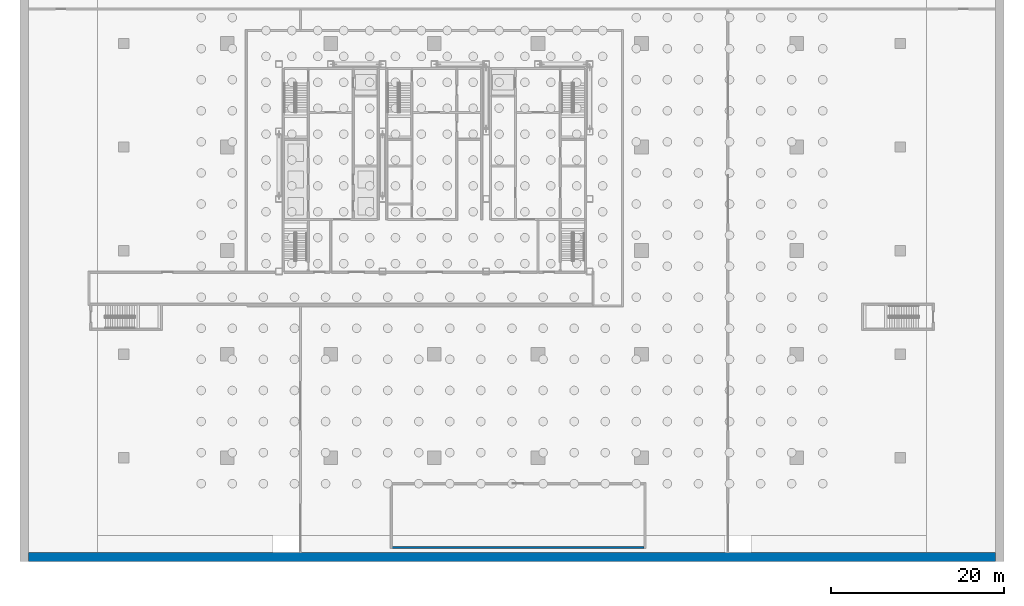
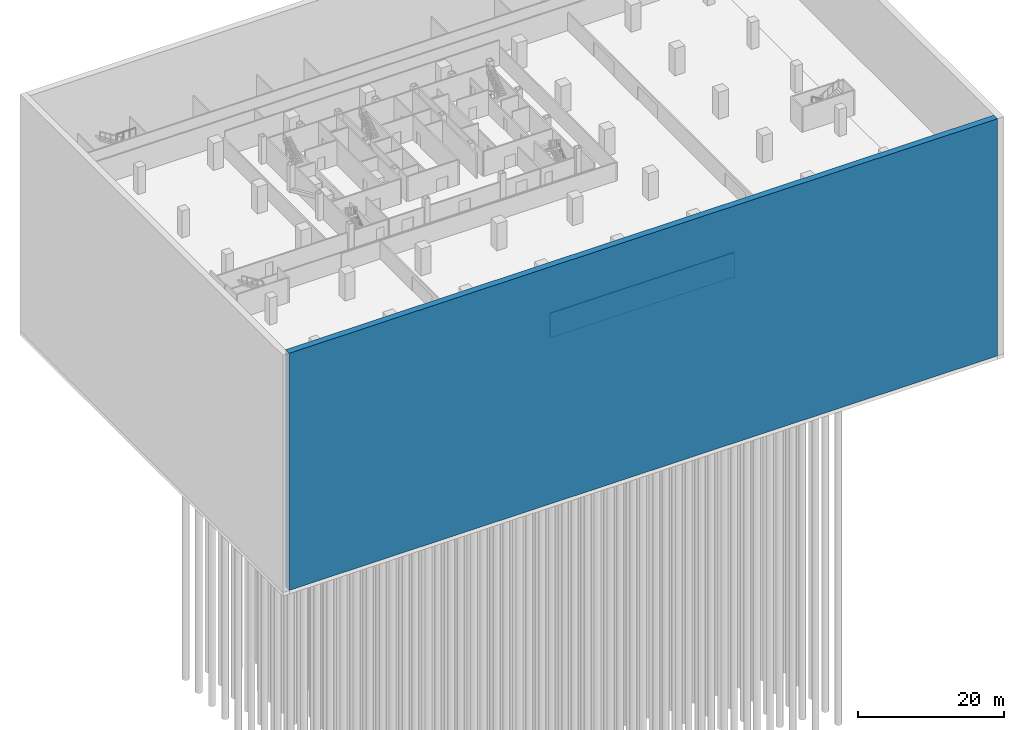
# One storey, part 5 of 18: 2 walls.
"""IFC4 building model written with IfcOpenShell, lengths in metres."""

from ifc_helpers import new_model, si_unit, direction, frame, frame_2d, origin, place, context, subcontext, project, spatial, rectangle, extrude, material, layer, layer_set, type_object, element, save


model = new_model("IFC4")

# Units and contexts
model_context = context("Model", 3, precision=1e-05, world=origin(), true_north=direction((0.0, 1.0)))
body_context = subcontext(model_context, "Body", "Model", "MODEL_VIEW")
ifc_project = project(units=[si_unit("LENGTHUNIT", "METRE"), si_unit("AREAUNIT", "SQUARE_METRE"), si_unit("VOLUMEUNIT", "CUBIC_METRE"), si_unit("PLANEANGLEUNIT", "RADIAN"), si_unit("MASSUNIT", "GRAM", prefix="KILO")], contexts=[model_context])

# Site, building, storey
site_placement = place(None, origin())
site = spatial("IfcSite", under=ifc_project, at=site_placement, CompositionType="ELEMENT")
building_placement = place(site_placement, origin())
building = spatial("IfcBuilding", under=site, at=building_placement, Name="Sorahane Residences", CompositionType="ELEMENT")
storey_placement = place(building_placement, frame((0.0, 0.0, -13.5)))
storey = spatial("IfcBuildingStorey", under=building, at=storey_placement, Name="B3", CompositionType="ELEMENT", Elevation=-13.5)

# Walls
ifc_material_1 = material(Name="Concrete C40", Category="concrete")
ifc_layer_1 = layer(ifc_material_1, 1.0)
ifc_layer_set_1 = layer_set([ifc_layer_1], Name="Diaphragm wall 1000 mm Concrete C40")
wall_type_1 = type_object("IfcWallType", Name="Diaphragm wall 1000 mm Concrete C40", PredefinedType="SOLIDWALL", material=ifc_layer_set_1)
wall_1_placement = place(storey_placement, frame((-23.0, -11.5, -26.5), z_axis=(0.0, 0.0, 1.0), x_axis=(1.0, 0.0, 0.0)))
element("IfcWall", 1, at=wall_1_placement, inside=storey, type_object=wall_type_1, Name="Diaphragm wall south", PredefinedType="SOLIDWALL", context=body_context, shape_type="SweptSolid", body=[
    extrude(rectangle(XDim=112.0, YDim=1.0, at=frame_2d((56.0, 0.0))), origin(), (0.0, 0.0, 1.0), 39.639892578125),
])
ifc_material_2 = material(Name="Concrete blockwork C20 wall", Category="masonry")
ifc_layer_2 = layer(ifc_material_2, 0.199951171875)
ifc_layer_set_2 = layer_set([ifc_layer_2], Name="Fire wall 200 EI 120")
wall_type_2 = type_object("IfcWallType", Name="Fire wall 200 EI 120", PredefinedType="SOLIDWALL", material=ifc_layer_set_2)
wall_2_placement = place(storey_placement, frame((19.10009765625, -10.39990234375, 0.0), z_axis=(0.0, 0.0, 1.0), x_axis=(1.0, 0.0, 0.0)))
element("IfcWall", 2, at=wall_2_placement, inside=storey, type_object=wall_type_2, Name="B3 fire wall", PredefinedType="SOLIDWALL", context=body_context, shape_type="SweptSolid", body=[
    extrude(rectangle(XDim=29.199951171875, YDim=0.199951171875, at=frame_2d((14.60009765625, 0.0))), origin(), (0.0, 0.0, 1.0), 4.14990234375),
])

save(model, "model.ifc")
